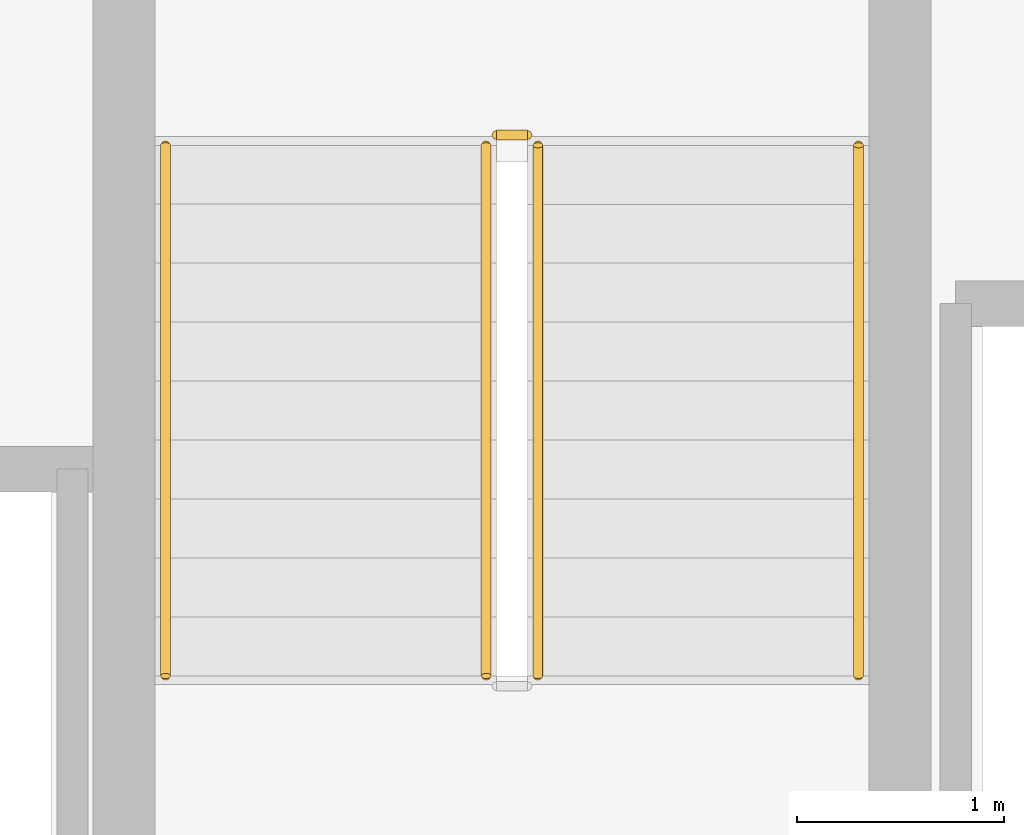
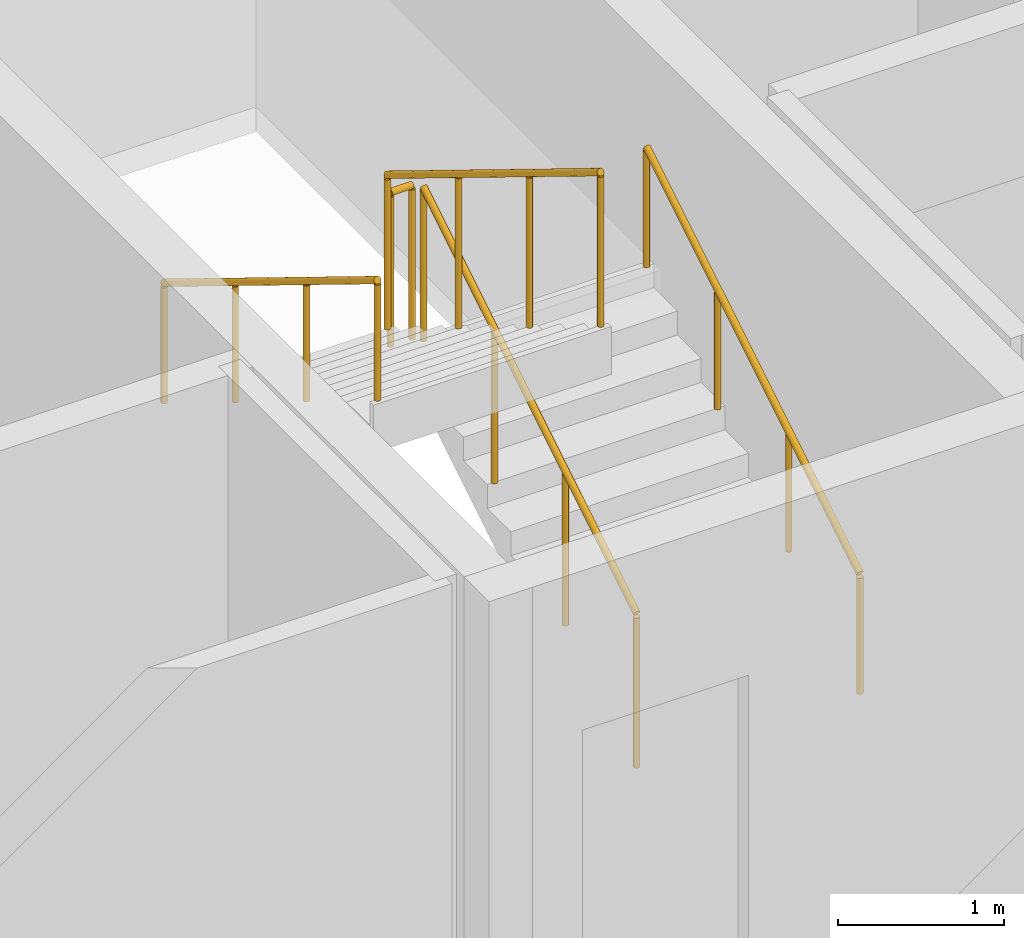
# One storey, part 10 of 10: 5 railings.
"""IFC4 building model written with IfcOpenShell, lengths in metres."""

from ifc_helpers import new_model, si_unit, direction, frame, origin, origin_2d, place, context, subcontext, project, spatial, circle, extrude, material, type_object, element, save


model = new_model("IFC4")

# Units and contexts
model_context = context("Model", 3, precision=1e-05, world=origin(), true_north=direction((0.0, 1.0)))
body_context = subcontext(model_context, "Body", "Model", "MODEL_VIEW")
ifc_project = project(units=[si_unit("LENGTHUNIT", "METRE"), si_unit("AREAUNIT", "SQUARE_METRE"), si_unit("VOLUMEUNIT", "CUBIC_METRE"), si_unit("PLANEANGLEUNIT", "RADIAN"), si_unit("MASSUNIT", "GRAM", prefix="KILO")], contexts=[model_context])

# Site, building, storey
site_placement = place(None, origin())
site = spatial("IfcSite", under=ifc_project, at=site_placement, CompositionType="ELEMENT")
building_placement = place(site_placement, origin())
building = spatial("IfcBuilding", under=site, at=building_placement, Name="Nhamokura Convention Tower", CompositionType="ELEMENT")
storey_placement = place(building_placement, frame((0.0, 0.0, 89.25)))
storey = spatial("IfcBuildingStorey", under=building, at=storey_placement, Name="L21", CompositionType="ELEMENT", Elevation=89.25)

# Railings
ifc_material_1 = material(Name="Anodised bronze stainless steel", Category="steel")
railing_type_1 = type_object("IfcRailingType", Name="StairWallHandrail_900", PredefinedType="HANDRAIL", material=ifc_material_1)
railing_1_placement = place(storey_placement, frame((33.64990234375, 35.14990234375, 0.175048828125)))
element("IfcRailing", 1, at=railing_1_placement, inside=storey, type_object=railing_type_1, Name="L21 ST-03 stair handrail 1", PredefinedType="HANDRAIL", context=body_context, shape_type="SweptSolid", body=[
    extrude(circle(Radius=0.02392578125, at=origin_2d()), frame((0.0, 0.0, 0.8759765625), z_axis=(0.0, 0.852195335862, 0.523223766217), x_axis=(-1.0, 0.0, 0.0)), (0.0, 0.0, 1.0), 3.010009765625),
    extrude(circle(Radius=0.02099609375, at=origin_2d()), origin(), (0.0, 0.0, 1.0), 0.851806640625),
    extrude(circle(Radius=0.02099609375, at=origin_2d()), frame((0.0, 0.85498046875, 0.52490234375)), (0.0, 0.0, 1.0), 0.851806640625),
    extrude(circle(Radius=0.02099609375, at=origin_2d()), frame((0.0, 1.710205078125, 1.050048828125)), (0.0, 0.0, 1.0), 0.851806640625),
    extrude(circle(Radius=0.02099609375, at=origin_2d()), frame((0.0, 2.565185546875, 1.574951171875)), (0.0, 0.0, 1.0), 0.851806640625),
])
railing_2_placement = place(storey_placement, frame((30.300048828125, 37.715087890625, 1.925048828125)))
element("IfcRailing", 2, at=railing_2_placement, inside=storey, type_object=railing_type_1, Name="L21 ST-03 stair handrail 2", PredefinedType="HANDRAIL", context=body_context, shape_type="SweptSolid", body=[
    extrude(circle(Radius=0.02392578125, at=origin_2d()), frame((0.0, 0.0, 0.8759765625), z_axis=(0.0, -0.852195335862, 0.523223766217), x_axis=(1.0, 0.0, 0.0)), (0.0, 0.0, 1.0), 3.010009765625),
    extrude(circle(Radius=0.02099609375, at=origin_2d()), origin(), (0.0, 0.0, 1.0), 0.851806640625),
    extrude(circle(Radius=0.02099609375, at=origin_2d()), frame((0.0, -0.85498046875, 0.52490234375)), (0.0, 0.0, 1.0), 0.851806640625),
    extrude(circle(Radius=0.02099609375, at=origin_2d()), frame((0.0, -1.710205078125, 1.050048828125)), (0.0, 0.0, 1.0), 0.851806640625),
    extrude(circle(Radius=0.02099609375, at=origin_2d()), frame((0.0, -2.565185546875, 1.574951171875)), (0.0, 0.0, 1.0), 0.851806640625),
])
ifc_material_2 = material(Name="Painted tubular steel", Category="steel")
railing_type_2 = type_object("IfcRailingType", Name="StairWellGuardrail_1150", PredefinedType="GUARDRAIL", material=ifc_material_2)
railing_3_placement = place(storey_placement, frame((32.10009765625, 35.14990234375, 0.175048828125)))
element("IfcRailing", 3, at=railing_3_placement, inside=storey, type_object=railing_type_2, Name="L21 ST-03 stair guard 1", PredefinedType="GUARDRAIL", context=body_context, shape_type="SweptSolid", body=[
    extrude(circle(Radius=0.02392578125, at=origin_2d()), frame((0.0, 0.0, 1.1259765625), z_axis=(0.0, 0.852195335862, 0.523223766217), x_axis=(-1.0, 0.0, 0.0)), (0.0, 0.0, 1.0), 3.010009765625),
    extrude(circle(Radius=0.02099609375, at=origin_2d()), origin(), (0.0, 0.0, 1.0), 1.101806640625),
    extrude(circle(Radius=0.02099609375, at=origin_2d()), frame((0.0, 0.85498046875, 0.52490234375)), (0.0, 0.0, 1.0), 1.101806640625),
    extrude(circle(Radius=0.02099609375, at=origin_2d()), frame((0.0, 1.710205078125, 1.050048828125)), (0.0, 0.0, 1.0), 1.101806640625),
    extrude(circle(Radius=0.02099609375, at=origin_2d()), frame((0.0, 2.565185546875, 1.574951171875)), (0.0, 0.0, 1.0), 1.101806640625),
])
railing_4_placement = place(storey_placement, frame((32.050048828125, 37.764892578125, 1.75)))
element("IfcRailing", 4, at=railing_4_placement, inside=storey, type_object=railing_type_2, Name="L21 ST-03 stair guard 2", PredefinedType="GUARDRAIL", context=body_context, shape_type="SweptSolid", body=[
    extrude(circle(Radius=0.02392578125, at=origin_2d()), frame((0.0, 0.0, 1.1259765625), z_axis=(-1.0, 0.0, 0.0), x_axis=(0.0, -1.0, 0.0)), (0.0, 0.0, 1.0), 0.150146484375),
    extrude(circle(Radius=0.02099609375, at=origin_2d()), origin(), (0.0, 0.0, 1.0), 1.101806640625),
    extrude(circle(Radius=0.02099609375, at=origin_2d()), frame((-0.150146484375, 0.0, 0.0)), (0.0, 0.0, 1.0), 1.101806640625),
])
railing_5_placement = place(storey_placement, frame((31.85009765625, 37.715087890625, 1.925048828125)))
element("IfcRailing", 5, at=railing_5_placement, inside=storey, type_object=railing_type_2, Name="L21 ST-03 stair guard 3", PredefinedType="GUARDRAIL", context=body_context, shape_type="SweptSolid", body=[
    extrude(circle(Radius=0.02392578125, at=origin_2d()), frame((0.0, 0.0, 1.1259765625), z_axis=(0.0, -0.852195335862, 0.523223766217), x_axis=(1.0, 0.0, 0.0)), (0.0, 0.0, 1.0), 3.010009765625),
    extrude(circle(Radius=0.02099609375, at=origin_2d()), origin(), (0.0, 0.0, 1.0), 1.101806640625),
    extrude(circle(Radius=0.02099609375, at=origin_2d()), frame((0.0, -0.85498046875, 0.52490234375)), (0.0, 0.0, 1.0), 1.101806640625),
    extrude(circle(Radius=0.02099609375, at=origin_2d()), frame((0.0, -1.710205078125, 1.050048828125)), (0.0, 0.0, 1.0), 1.101806640625),
    extrude(circle(Radius=0.02099609375, at=origin_2d()), frame((0.0, -2.565185546875, 1.574951171875)), (0.0, 0.0, 1.0), 1.101806640625),
])

save(model, "model.ifc")
